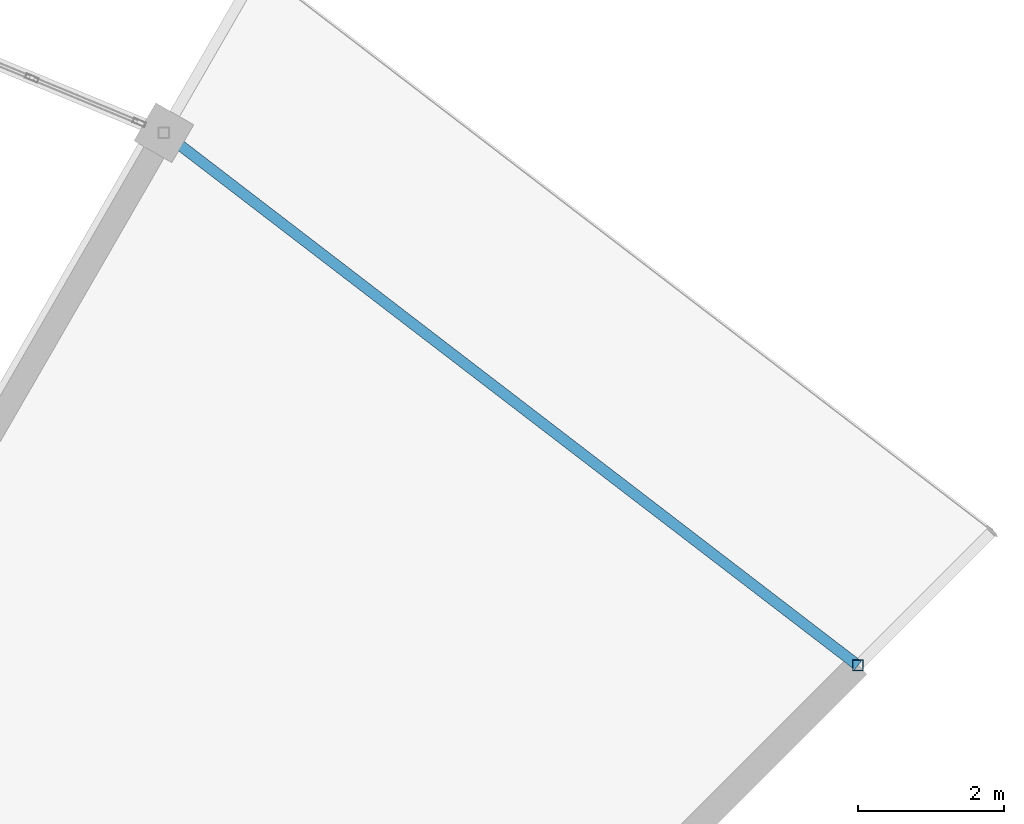
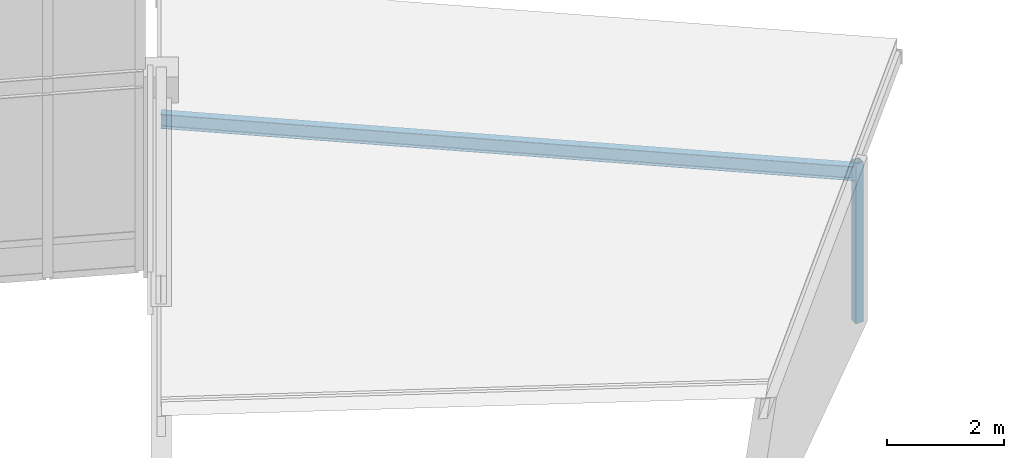
# One storey, part 63 of 93: 1 beam, 1 member.
"""IFC4 building model written with IfcOpenShell, lengths in metres."""

from ifc_helpers import new_model, si_unit, direction, frame, origin, origin_2d, place, context, subcontext, project, spatial, hollow_rectangle, i_section, extrude, material, material_profile, profile_set, type_object, element, save


model = new_model("IFC4")

# Units and contexts
model_context = context("Model", 3, precision=1e-05, world=origin(), true_north=direction((0.0, 1.0)))
body_context = subcontext(model_context, "Body", "Model", "MODEL_VIEW")
ifc_project = project(units=[si_unit("LENGTHUNIT", "METRE"), si_unit("AREAUNIT", "SQUARE_METRE"), si_unit("VOLUMEUNIT", "CUBIC_METRE"), si_unit("PLANEANGLEUNIT", "RADIAN"), si_unit("MASSUNIT", "GRAM", prefix="KILO")], contexts=[model_context])

# Site, building, storey
site_placement = place(None, origin())
site = spatial("IfcSite", under=ifc_project, at=site_placement, CompositionType="ELEMENT")
building_placement = place(site_placement, origin())
building = spatial("IfcBuilding", under=site, at=building_placement, Name="Vondelvale Polytechnic", CompositionType="ELEMENT")
storey_placement = place(building_placement, frame((0.0, 0.0, 18.0)))
storey = spatial("IfcBuildingStorey", under=building, at=storey_placement, Name="L04", CompositionType="ELEMENT", Elevation=18.0)

# Beam
ifc_material_1 = material(Name="Steel 300PLUS (fy = 300 MPa)", Category="steel")
ifc_material_profile_1 = material_profile(ifc_material_1, i_section(OverallWidth=0.14892578125, OverallDepth=0.298095703125, WebThickness=0.005615234375, FlangeThickness=0.008056640625, FilletRadius=0.011474609375, at=origin_2d()), Name="310UB32.0")
ifc_profile_set_1 = profile_set([ifc_material_profile_1], Name="Steel 300PLUS (fy = 300 MPa)")
beam_type = type_object("IfcBeamType", Name="BM-UB310L", PredefinedType="BEAM", material=ifc_profile_set_1)
beam_placement = place(storey_placement, frame((134.52685546875, 104.52685546875, 3.11083984375), z_axis=(-0.793349743808, 0.608766116008, 0.0), x_axis=(-0.608766116008, -0.793349743808, 0.0)))
element("IfcBeam", 1, at=beam_placement, inside=storey, type_object=beam_type, Name="L04 RE B-25", PredefinedType="BEAM", context=body_context, shape_type="SweptSolid", body=[
    extrude(i_section(OverallWidth=0.14892578125, OverallDepth=0.298095703125, WebThickness=0.005615234375, FlangeThickness=0.008056640625, FilletRadius=0.011474609375, at=origin_2d()), origin(), (0.0, 0.0, 1.0), 12.00830078125),
])

# Member
ifc_material_2 = material(Name="Steel C350L0 (fy = 350 MPa)", Category="steel")
ifc_material_profile_2 = material_profile(ifc_material_2, hollow_rectangle(XDim=0.14990234375, YDim=0.14990234375, WallThickness=0.006103515625, at=origin_2d()), Name="150x150x6.0SHS")
ifc_profile_set_2 = profile_set([ifc_material_profile_2], Name="Steel C350L0 (fy = 350 MPa)")
member_type = type_object("IfcMemberType", Name="ROOF TRUSS POST 150SHS", PredefinedType="POST", material=ifc_profile_set_2)
member_placement = place(storey_placement, frame((134.52685546875, 104.52685546875, 0.0), z_axis=(0.0, 0.0, 1.0), x_axis=(1.0, 0.0, 0.0)))
element("IfcMember", 2, at=member_placement, inside=storey, type_object=member_type, Name="Ring outer roof post 03", PredefinedType="POST", context=body_context, shape_type="SweptSolid", body=[
    extrude(hollow_rectangle(XDim=0.14990234375, YDim=0.14990234375, WallThickness=0.006103515625, at=origin_2d()), origin(), (0.0, 0.0, 1.0), 3.33984375),
])

save(model, "model.ifc")
